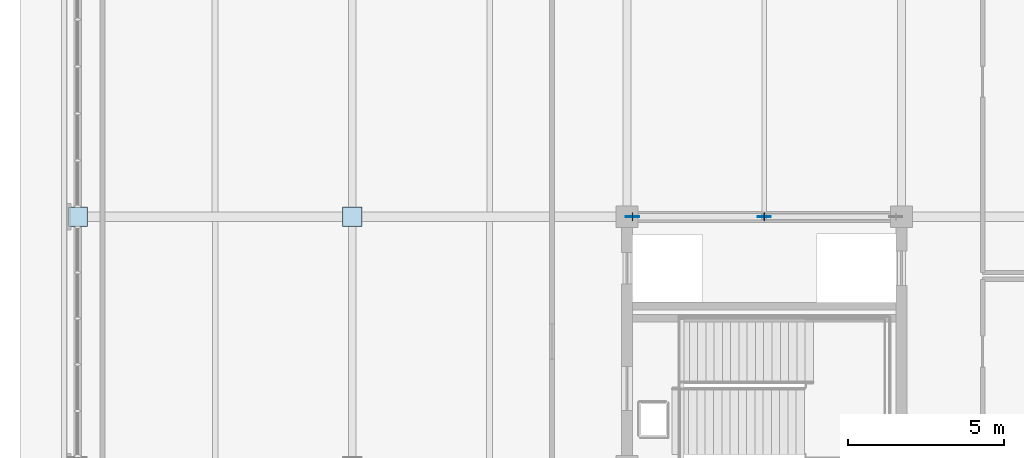
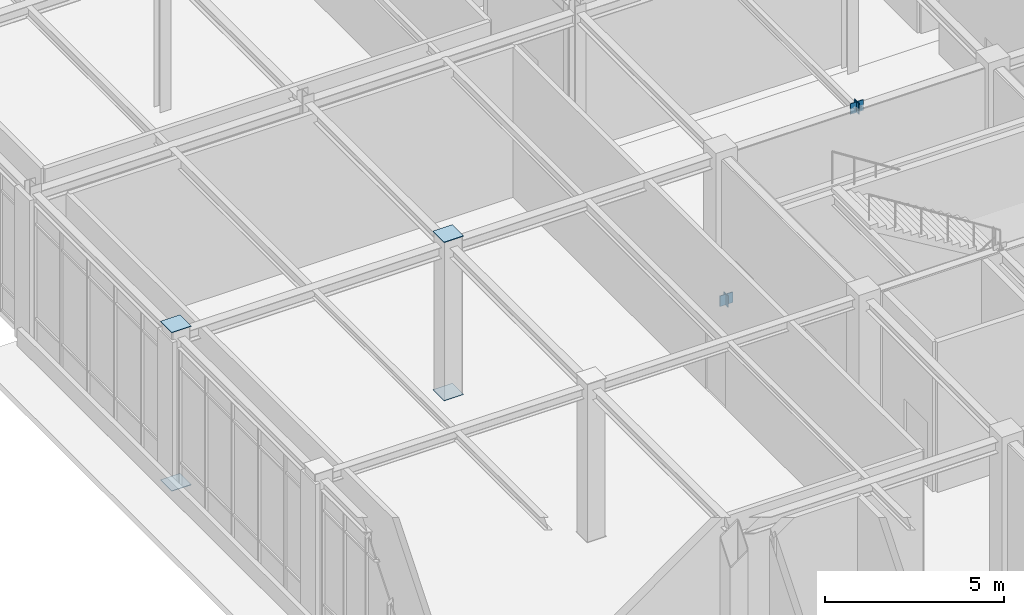
# One storey, part 77 of 108: 9 plates.
"""IFC4 building model written with IfcOpenShell, lengths in metres."""

from ifc_helpers import new_model, si_unit, direction, frame, origin, origin_2d, place, context, subcontext, project, spatial, rectangle, extrude, material, layer, layer_set, type_object, element, save


model = new_model("IFC4")

# Units and contexts
model_context = context("Model", 3, precision=1e-05, world=origin(), true_north=direction((0.0, 1.0)))
body_context = subcontext(model_context, "Body", "Model", "MODEL_VIEW")
ifc_project = project(units=[si_unit("LENGTHUNIT", "METRE"), si_unit("AREAUNIT", "SQUARE_METRE"), si_unit("VOLUMEUNIT", "CUBIC_METRE"), si_unit("PLANEANGLEUNIT", "RADIAN"), si_unit("MASSUNIT", "GRAM", prefix="KILO")], contexts=[model_context])

# Site, building, storey
site_placement = place(None, origin())
site = spatial("IfcSite", under=ifc_project, at=site_placement, CompositionType="ELEMENT")
building_placement = place(site_placement, origin())
building = spatial("IfcBuilding", under=site, at=building_placement, Name="Zhaolan Boulevard Law Courts", CompositionType="ELEMENT")
storey_placement = place(building_placement, frame((0.0, 0.0, 10.800048828125)))
storey = spatial("IfcBuildingStorey", under=building, at=storey_placement, Name="L02", CompositionType="ELEMENT", Elevation=10.800048828125)

# Plates
ifc_material_1 = material(Name="Structural steel Q355B", Category="steel")
ifc_layer_1 = layer(ifc_material_1, 0.02392578125)
ifc_layer_set_1 = layer_set([ifc_layer_1])
plate_type_1 = type_object("IfcPlateType", Name="BRACE GUSSET PLATE 24", PredefinedType="SHEET", material=ifc_layer_set_1)
for number, where, z_axis, x_axis, name in (
    (1, (17.780029296875, 70.0, -0.14990234375), (0.0, 0.0, 1.0), (1.0, 0.0, 0.0), "Brace Gusset Connection Plate GP-W2-L02-NA1"),
    (2, (22.0, 70.0, 4.93994140625), (0.0, 0.0, 1.0), (1.0, 0.0, 0.0), "Brace Gusset Connection Plate GP-W2-L02-NAPX"),
):
    element("IfcPlate", number, at=place(storey_placement, frame(where, z_axis=z_axis, x_axis=x_axis)), inside=storey, type_object=plate_type_1, Name=name, PredefinedType="SHEET", context=body_context, shape_type="SweptSolid", body=[
        extrude(rectangle(XDim=0.419921875, YDim=0.02392578125, at=origin_2d()), origin(), (0.0, 0.0, 1.0), 0.360107421875),
    ])
ifc_material_2 = material(Name="Structural steel Q355B", Category="steel")
ifc_layer_2 = layer(ifc_material_2, 0.02001953125)
ifc_layer_set_2 = layer_set([ifc_layer_2])
plate_type_2 = type_object("IfcPlateType", Name="END CAP PLATE 20", PredefinedType="SHEET", material=ifc_layer_set_2)
for number, where, z_axis, x_axis, name in (
    (3, (0.0, 70.0, -0.01806640625), (0.0, 0.0, 1.0), (1.0, 0.0, 0.0), "Hollow Section End-Cap Plate ECP-0115"),
    (4, (0.0, 70.0, 5.39794921875), (0.0, 0.0, 1.0), (1.0, 0.0, 0.0), "Hollow Section End-Cap Plate ECP-0116"),
    (5, (8.800048828125, 70.0, -0.01806640625), (0.0, 0.0, 1.0), (1.0, 0.0, 0.0), "Hollow Section End-Cap Plate ECP-0249"),
    (6, (8.800048828125, 70.0, 5.39794921875), (0.0, 0.0, 1.0), (1.0, 0.0, 0.0), "Hollow Section End-Cap Plate ECP-0250"),
):
    element("IfcPlate", number, at=place(storey_placement, frame(where, z_axis=z_axis, x_axis=x_axis)), inside=storey, type_object=plate_type_2, Name=name, PredefinedType="SHEET", context=body_context, shape_type="SweptSolid", body=[
        extrude(rectangle(XDim=0.6298828125, YDim=0.6298828125, at=origin_2d()), origin(), (0.0, 0.0, 1.0), 0.02001953125),
    ])
for number, where, z_axis, x_axis, name in (
    (7, (17.77490234375, 70.0, -0.17236328125), (0.0, 0.0, 1.0), (1.0, 0.0, 0.0), "Hollow Section End-Cap Plate ECP-1159"),
    (8, (22.005126953125, 70.0, 4.93017578125), (0.0, 0.0, 1.0), (1.0, 0.0, 0.0), "Hollow Section End-Cap Plate ECP-1160"),
):
    element("IfcPlate", number, at=place(storey_placement, frame(where, z_axis=z_axis, x_axis=x_axis)), inside=storey, type_object=plate_type_2, Name=name, PredefinedType="SHEET", context=body_context, shape_type="SweptSolid", body=[
        extrude(rectangle(XDim=0.02001953125, YDim=0.25, at=origin_2d()), origin(), (0.0, 0.0, 1.0), 0.39208984375),
    ])
plate_placement = place(storey_placement, frame((21.994873046875, 70.0, 4.9462890625), z_axis=(0.0, 0.0, 1.0), x_axis=(-1.0, 0.0, 0.0)))
element("IfcPlate", 9, at=plate_placement, inside=storey, type_object=plate_type_2, Name="Hollow Section End-Cap Plate ECP-1162", PredefinedType="SHEET", context=body_context, shape_type="SweptSolid", body=[
    extrude(rectangle(XDim=0.02001953125, YDim=0.22998046875, at=origin_2d()), origin(), (0.0, 0.0, 1.0), 0.360107421875),
])

save(model, "model.ifc")
